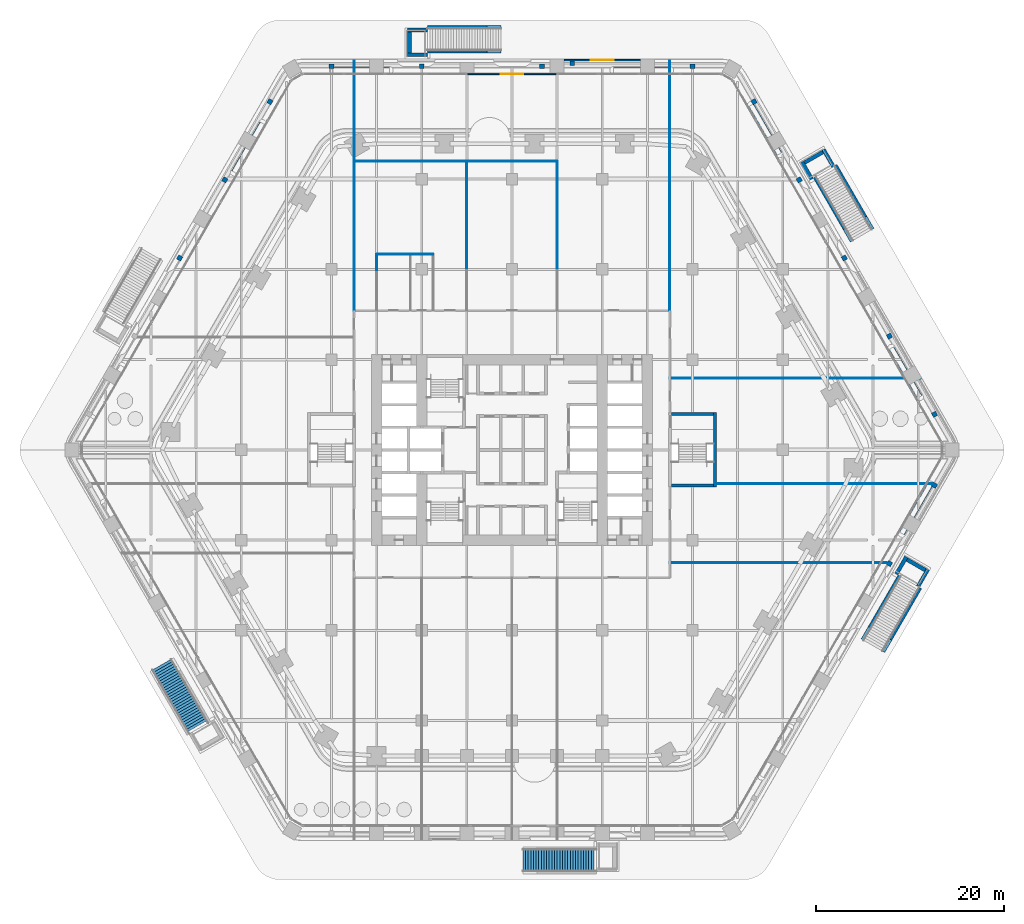
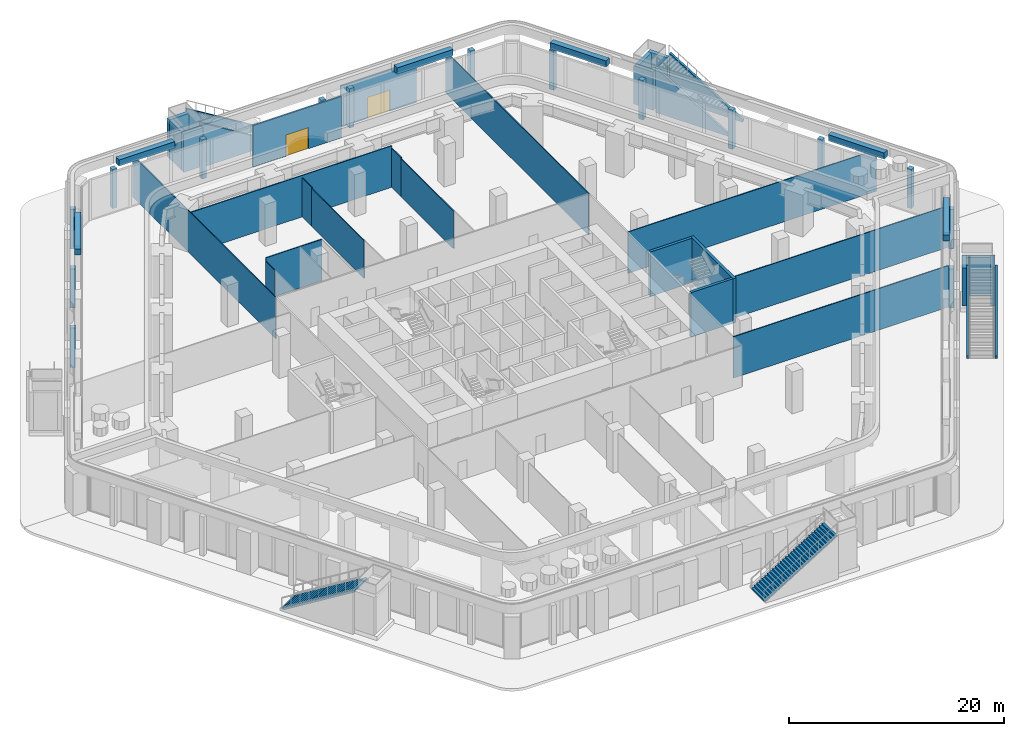
# One storey, part 23 of 34: 53 walls, 2 doors, 2 stair flights, 2 openings, 2 elements without a shape of their own.
"""IFC4 building model written with IfcOpenShell, lengths in metres."""

from ifc_helpers import new_model, si_unit, direction, frame, frame_2d, origin, place, context, subcontext, project, spatial, polyline, rectangle, outline, extrude, material, layer, layer_set, type_object, element, fill, aggregate, save


model = new_model("IFC4")

# Units and contexts
model_context = context("Model", 3, precision=1e-05, world=origin(), true_north=direction((0.0, 1.0)))
body_context = subcontext(model_context, "Body", "Model", "MODEL_VIEW")
ifc_project = project(units=[si_unit("LENGTHUNIT", "METRE"), si_unit("AREAUNIT", "SQUARE_METRE"), si_unit("VOLUMEUNIT", "CUBIC_METRE"), si_unit("PLANEANGLEUNIT", "RADIAN"), si_unit("MASSUNIT", "GRAM", prefix="KILO")], contexts=[model_context])

# Site, building, storey
site_placement = place(None, origin())
site = spatial("IfcSite", under=ifc_project, at=site_placement, CompositionType="ELEMENT")
building_placement = place(site_placement, origin())
building = spatial("IfcBuilding", under=site, at=building_placement, Name="Kolab Exchange Tower", CompositionType="ELEMENT")
storey_placement = place(building_placement, frame((0.0, 0.0, 12.39990234375)))
storey = spatial("IfcBuildingStorey", under=building, at=storey_placement, Name="L02", CompositionType="ELEMENT", Elevation=12.39990234375)

# Wall, opening, door
ifc_material_1 = material(Name="Aluminium EN AW-6063 T6", Category="aluminium")
ifc_layer_1 = layer(ifc_material_1, 0.159912109375)
ifc_layer_set_1 = layer_set([ifc_layer_1], Name="Aluminium EN AW-6063 T6")
wall_type_1 = type_object("IfcWallType", Name="DOOR SURROUND WALL 160 ALUMINIUM FRAMED", PredefinedType="PARTITIONING", material=ifc_layer_set_1)
wall_1_placement = place(storey_placement, frame((-4.77001953125, 39.9892578125, 0.0), z_axis=(0.0, 0.0, 1.0), x_axis=(1.0, 0.0, 0.0)))
wall_1 = element("IfcWall", 1, at=wall_1_placement, inside=storey, type_object=wall_type_1, Name="Door surround wall", PredefinedType="PARTITIONING", context=body_context, shape_type="SweptSolid", body=[
    extrude(rectangle(XDim=9.5400390625, YDim=0.159912109375, at=frame_2d((4.77001953125, 0.0))), origin(), (0.0, 0.0, 1.0), 4.7001953125),
])
opening_1_placement = place(wall_1_placement, frame((3.570068359375, 0.0, 0.0)))
opening_1 = element("IfcOpeningElement", 2, at=opening_1_placement, cuts=wall_1, Name="Opening GD1-005", PredefinedType="OPENING", context=body_context, shape_type="SweptSolid", body=[
    extrude(rectangle(XDim=2.39990234375, YDim=2.39990234375, at=frame_2d((1.199951171875, 1.199951171875))), frame((0.0, 0.08984375, 0.0), z_axis=(0.0, -1.0, 0.0), x_axis=(1.0, 0.0, 0.0)), (0.0, 0.0, 1.0), 0.179931640625),
])
door_type = type_object("IfcDoorType", Name="LOGGIA SLIDING GLASS DOOR 2400 X 2400", OperationType="DOUBLE_DOOR_SINGLE_SWING", PredefinedType="DOOR", material=ifc_material_1)
door_1_placement = place(opening_1_placement, origin())
door_1 = element("IfcDoor", 3, at=door_1_placement, inside=storey, type_object=door_type, Name="Loggia door", OperationType="DOUBLE_DOOR_SLIDING", OverallHeight=2.39990234375, OverallWidth=2.39990234375, PredefinedType="DOOR", context=body_context, shape_type="SweptSolid", body=[
    extrude(rectangle(XDim=2.39990234375, YDim=2.39990234375, at=frame_2d((1.199951171875, 1.199951171875))), frame((0.0, 0.02490234375, 0.0), z_axis=(0.0, -1.0, 0.0), x_axis=(1.0, 0.0, 0.0)), (0.0, 0.0, 1.0), 0.050048828125),
])
fill(opening_1, door_1)

wall_2_placement = place(storey_placement, frame((5.552001953125, 41.46923828125, 0.0), z_axis=(0.0, 0.0, 1.0), x_axis=(1.0, 0.0, 0.0)))
wall_2 = element("IfcWall", 4, at=wall_2_placement, inside=storey, type_object=wall_type_1, Name="Door surround wall", PredefinedType="PARTITIONING", context=body_context, shape_type="SweptSolid", body=[
    extrude(rectangle(XDim=8.095947265625, YDim=0.159912109375, at=frame_2d((4.0478515625, 0.0))), origin(), (0.0, 0.0, 1.0), 4.7001953125),
])
opening_2_placement = place(wall_2_placement, frame((2.847900390625, 0.0, 0.0)))
opening_2 = element("IfcOpeningElement", 5, at=opening_2_placement, cuts=wall_2, Name="Opening GD1-007", PredefinedType="OPENING", context=body_context, shape_type="SweptSolid", body=[
    extrude(rectangle(XDim=2.39990234375, YDim=2.39990234375, at=frame_2d((1.199951171875, 1.199951171875))), frame((0.0, 0.08984375, 0.0), z_axis=(0.0, -1.0, 0.0), x_axis=(1.0, 0.0, 0.0)), (0.0, 0.0, 1.0), 0.179931640625),
])
door_2_placement = place(opening_2_placement, origin())
door_2 = element("IfcDoor", 6, at=door_2_placement, inside=storey, type_object=door_type, Name="Terrace door", OperationType="DOUBLE_DOOR_SLIDING", OverallHeight=2.39990234375, OverallWidth=2.39990234375, PredefinedType="DOOR", context=body_context, shape_type="SweptSolid", body=[
    extrude(rectangle(XDim=2.39990234375, YDim=2.39990234375, at=frame_2d((1.199951171875, 1.199951171875))), frame((0.0, 0.02490234375, 0.0), z_axis=(0.0, -1.0, 0.0), x_axis=(1.0, 0.0, 0.0)), (0.0, 0.0, 1.0), 0.050048828125),
])
fill(opening_2, door_2)

# Walls
ifc_material_2 = material(Name="Gypsum board", Category="gypsum")
ifc_layer_2 = layer(ifc_material_2, 0.10009765625)
ifc_layer_set_2 = layer_set([ifc_layer_2], Name="Gypsum board")
wall_type_2 = type_object("IfcWallType", Name="PARTITION 100", PredefinedType="PARTITIONING", material=ifc_layer_set_2)
wall_3_placement = place(storey_placement, frame((16.800048828125, 14.800048828125, 0.0), z_axis=(0.0, 0.0, 1.0), x_axis=(0.0, 1.0, 0.0)))
element("IfcWall", 7, at=wall_3_placement, inside=storey, type_object=wall_type_2, Name="Partition 000", PredefinedType="PARTITIONING", context=body_context, shape_type="SweptSolid", body=[
    extrude(rectangle(XDim=26.59912109375, YDim=0.10009765625, at=frame_2d((13.299560546875, 0.0))), origin(), (0.0, 0.0, 1.0), 4.7001953125),
])
wall_4_placement = place(storey_placement, frame((4.800048828125, 19.1259765625, 0.0), z_axis=(0.0, 0.0, 1.0), x_axis=(0.0, 1.0, 0.0)))
element("IfcWall", 8, at=wall_4_placement, inside=storey, type_object=wall_type_2, Name="Partition 006", PredefinedType="PARTITIONING", context=body_context, shape_type="SweptSolid", body=[
    extrude(rectangle(XDim=9.748046875, YDim=0.10009765625, at=frame_2d((4.8740234375, 0.0))), origin(), (0.0, 0.0, 1.0), 4.293212890625),
])
wall_5_placement = place(storey_placement, frame((4.800048828125, 28.8740234375, 0.0), z_axis=(0.0, 0.0, 1.0), x_axis=(0.0, 1.0, 0.0)))
element("IfcWall", 9, at=wall_5_placement, inside=storey, type_object=wall_type_2, Name="Partition 006", PredefinedType="PARTITIONING", context=body_context, shape_type="SweptSolid", body=[
    extrude(rectangle(XDim=1.8037109375, YDim=0.10009765625, at=frame_2d((0.90185546875, 0.0))), origin(), (0.0, 0.0, 1.0), 4.440185546875),
])
wall_6_placement = place(storey_placement, frame((-4.800048828125, 19.1259765625, 0.0), z_axis=(0.0, 0.0, 1.0), x_axis=(0.0, 1.0, 0.0)))
element("IfcWall", 10, at=wall_6_placement, inside=storey, type_object=wall_type_2, Name="Partition 008", PredefinedType="PARTITIONING", context=body_context, shape_type="SweptSolid", body=[
    extrude(rectangle(XDim=9.748046875, YDim=0.10009765625, at=frame_2d((4.8740234375, 0.0))), origin(), (0.0, 0.0, 1.0), 4.293212890625),
])
wall_7_placement = place(storey_placement, frame((-4.800048828125, 28.8740234375, 0.0), z_axis=(0.0, 0.0, 1.0), x_axis=(0.0, 1.0, 0.0)))
element("IfcWall", 11, at=wall_7_placement, inside=storey, type_object=wall_type_2, Name="Partition 008", PredefinedType="PARTITIONING", context=body_context, shape_type="SweptSolid", body=[
    extrude(rectangle(XDim=1.8037109375, YDim=0.10009765625, at=frame_2d((0.90185546875, 0.0))), origin(), (0.0, 0.0, 1.0), 4.440185546875),
])
wall_8_placement = place(storey_placement, frame((-14.39990234375, 19.1259765625, 0.0), z_axis=(0.0, 0.0, 1.0), x_axis=(0.0, 1.0, 0.0)))
element("IfcWall", 12, at=wall_8_placement, inside=storey, type_object=wall_type_2, Name="Partition 015", PredefinedType="PARTITIONING", context=body_context, shape_type="SweptSolid", body=[
    extrude(rectangle(XDim=1.674072265625, YDim=0.10009765625, at=frame_2d((0.8369140625, 0.0))), origin(), (0.0, 0.0, 1.0), 4.293212890625),
])
wall_9_placement = place(storey_placement, frame((-16.800048828125, 14.800048828125, 0.0), z_axis=(0.0, 0.0, 1.0), x_axis=(0.0, 1.0, 0.0)))
element("IfcWall", 13, at=wall_9_placement, inside=storey, type_object=wall_type_2, Name="Partition 017", PredefinedType="PARTITIONING", context=body_context, shape_type="SweptSolid", body=[
    extrude(rectangle(XDim=26.59912109375, YDim=0.10009765625, at=frame_2d((13.299560546875, 0.0))), origin(), (0.0, 0.0, 1.0), 4.7001953125),
])
wall_10_placement = place(storey_placement, frame((16.800048828125, -12.0, 0.0), z_axis=(0.0, 0.0, 1.0), x_axis=(1.0, 0.0, 0.0)))
element("IfcWall", 14, at=wall_10_placement, inside=storey, type_object=wall_type_2, Name="Partition 021", PredefinedType="PARTITIONING", context=body_context, shape_type="SweptSolid", body=[
    extrude(rectangle(XDim=23.088134765625, YDim=0.10009765625, at=frame_2d((11.5439453125, 0.0))), origin(), (0.0, 0.0, 1.0), 4.7001953125),
])
wall_11_placement = place(storey_placement, frame((21.75, -3.60009765625, 0.0), z_axis=(0.0, 0.0, 1.0), x_axis=(1.0, 0.0, 0.0)))
element("IfcWall", 15, at=wall_11_placement, inside=storey, type_object=wall_type_2, Name="Partition 025", PredefinedType="PARTITIONING", context=body_context, shape_type="SweptSolid", body=[
    extrude(rectangle(XDim=22.988037109375, YDim=0.10009765625, at=frame_2d((11.494140625, 0.0))), origin(), (0.0, 0.0, 1.0), 4.7001953125),
])
wall_12_placement = place(storey_placement, frame((16.800048828125, 7.60009765625, 0.0), z_axis=(0.0, 0.0, 1.0), x_axis=(1.0, 0.0, 0.0)))
element("IfcWall", 16, at=wall_12_placement, inside=storey, type_object=wall_type_2, Name="Partition 027", PredefinedType="PARTITIONING", context=body_context, shape_type="SweptSolid", body=[
    extrude(rectangle(XDim=26.673583984375, YDim=0.10009765625, at=frame_2d((13.3369140625, 0.0))), origin(), (0.0, 0.0, 1.0), 4.7001953125),
])
wall_13_placement = place(storey_placement, frame((-14.39990234375, 20.800048828125, 0.0), z_axis=(0.0, 0.0, 1.0), x_axis=(1.0, 0.0, 0.0)))
element("IfcWall", 17, at=wall_13_placement, inside=storey, type_object=wall_type_2, Name="Partition 030", PredefinedType="PARTITIONING", context=body_context, shape_type="SweptSolid", body=[
    extrude(rectangle(XDim=6.0, YDim=0.10009765625, at=frame_2d((3.0, 0.0))), origin(), (0.0, 0.0, 1.0), 4.7001953125),
])
wall_14_placement = place(storey_placement, frame((-16.800048828125, 30.677734375, 0.0), z_axis=(0.0, 0.0, 1.0), x_axis=(1.0, 0.0, 0.0)))
element("IfcWall", 18, at=wall_14_placement, inside=storey, type_object=wall_type_2, Name="Partition 031", PredefinedType="PARTITIONING", context=body_context, shape_type="SweptSolid", body=[
    extrude(rectangle(XDim=21.60009765625, YDim=0.10009765625, at=frame_2d((10.800048828125, 0.0))), origin(), (0.0, 0.0, 1.0), 4.7001953125),
])
ifc_material_3 = material(Name="Granite facing", Category="masonry")
ifc_layer_3 = layer(ifc_material_3, 0.0400390625)
ifc_material_4 = material(Name="Concrete C40/50 precast", Category="concrete")
ifc_layer_4 = layer(ifc_material_4, 0.56005859375)
ifc_layer_set_3 = layer_set([ifc_layer_3, ifc_layer_4], Name="Concrete C40/50 precast")
wall_type_3 = type_object("IfcWallType", Name="PLANTER BOX 600 X 700 SOIL DEPTH 550", PredefinedType="USERDEFINED", material=ifc_layer_set_3)
for number, where, z_axis, x_axis, name in (
    (19, (10.80615234375, 40.369140625, 5.0), (0.0, 0.0, 1.0), (1.0, 0.0, 0.0), "Planter"),
    (20, (-19.032958984375, 40.369140625, 5.0), (0.0, 0.0, 1.0), (1.0, 0.0, 0.0), "Planter"),
    (21, (40.36376953125, 10.826171875, 5.0), (0.0, 0.0, 1.0), (0.500007758305, -0.866020924479, 0.0), "Planter"),
    (22, (25.4443359375, 36.667724609375, 5.0), (0.0, 0.0, 1.0), (0.499990139034, -0.866031096941, 0.0), "Planter"),
):
    element("IfcWall", number, at=place(storey_placement, frame(where, z_axis=z_axis, x_axis=x_axis)), inside=storey, type_object=wall_type_3, Name=name, ObjectType="PLANTER", PredefinedType="USERDEFINED", context=body_context, shape_type="SweptSolid", body=[
        extrude(rectangle(XDim=6.0, YDim=0.60009765625, at=frame_2d((3.0, 0.0))), origin(), (0.0, 0.0, 1.0), 0.7001953125),
    ])
wall_15_placement = place(storey_placement, frame((44.507568359375, -3.649169921875, 5.0), z_axis=(0.0, 0.0, 1.0), x_axis=(-0.500003743768, -0.866023242308, 0.0)))
element("IfcWall", 23, at=wall_15_placement, inside=storey, type_object=wall_type_3, Name="Planter", ObjectType="PLANTER", PredefinedType="USERDEFINED", context=body_context, shape_type="SweptSolid", body=[
    extrude(rectangle(XDim=6.060546875, YDim=0.60009765625, at=frame_2d((3.0302734375, 0.0))), origin(), (0.0, 0.0, 1.0), 0.7001953125),
])
wall_16_placement = place(storey_placement, frame((-29.5576171875, 29.54296875, 5.0), z_axis=(0.0, 0.0, 1.0), x_axis=(0.499990139034, 0.866031096941, 0.0)))
element("IfcWall", 24, at=wall_16_placement, inside=storey, type_object=wall_type_3, Name="Planter", ObjectType="PLANTER", PredefinedType="USERDEFINED", context=body_context, shape_type="SweptSolid", body=[
    extrude(rectangle(XDim=6.0, YDim=0.60009765625, at=frame_2d((3.0, 0.0))), origin(), (0.0, 0.0, 1.0), 0.7001953125),
])
ifc_layer_5 = layer(ifc_material_3, 0.0400390625)
ifc_material_5 = material(Name="Concrete C40/50", Category="concrete")
ifc_layer_6 = layer(ifc_material_5, 0.2099609375)
ifc_layer_set_4 = layer_set([ifc_layer_5, ifc_layer_6], Name="Concrete C40/50")
wall_type_4 = type_object("IfcWallType", Name="STAIR CHEEK WALL 250", PredefinedType="SOLIDWALL", material=ifc_layer_set_4)
for number, where, z_axis, x_axis, name in (
    (25, (-1.159912109375, 42.34423828125, 0.0), (0.0, 0.0, 1.0), (-1.0, 0.0, 0.0), "Stair cheek wall"),
    (26, (-1.159912109375, 44.994140625, 0.0), (0.0, 0.0, 1.0), (-1.0, 0.0, 0.0), "Stair cheek wall"),
):
    element("IfcWall", number, at=place(storey_placement, frame(where, z_axis=z_axis, x_axis=x_axis)), inside=storey, type_object=wall_type_4, Name=name, PredefinedType="SOLIDWALL", context=body_context, shape_type="SweptSolid", body=[
        extrude(outline(polyline([(0.0, 0.0), (7.840087890625, 0.0), (7.840087890625, 5.10009765625), (0.0, 0.2724609375), (0.0, 0.0)])), frame((0.0, 0.125, 0.0), z_axis=(0.0, -1.0, 0.0), x_axis=(1.0, 0.0, 0.0)), (0.0, 0.0, 1.0), 0.25),
    ])
wall_17_placement = place(storey_placement, frame((36.091064453125, 22.1767578125, 0.0), z_axis=(0.0, 0.0, 1.0), x_axis=(-0.499997407846, 0.86602690036, 0.0)))
element("IfcWall", 27, at=wall_17_placement, inside=storey, type_object=wall_type_4, Name="Stair cheek wall", PredefinedType="SOLIDWALL", context=body_context, shape_type="SweptSolid", body=[
    extrude(outline(polyline([(0.0, 0.0), (7.83984375, 0.0), (7.840087890625, 5.10009765625), (0.0, 0.2724609375), (0.0, 0.0)])), frame((0.0, 0.125, 0.0), z_axis=(0.0, -1.0, 0.0), x_axis=(1.0, 0.0, 0.0)), (0.0, 0.0, 1.0), 0.25),
])
wall_18_placement = place(storey_placement, frame((38.38623046875, 23.501708984375, 0.0), z_axis=(0.0, 0.0, 1.0), x_axis=(-0.500020763015, 0.866013415921, 0.0)))
element("IfcWall", 28, at=wall_18_placement, inside=storey, type_object=wall_type_4, Name="Stair cheek wall", PredefinedType="SOLIDWALL", context=body_context, shape_type="SweptSolid", body=[
    extrude(outline(polyline([(0.0, 0.0), (7.840087890625, 0.0), (7.840087890625, 5.10009765625), (0.0, 0.2724609375), (0.0, 0.0)])), frame((0.0, 0.125, 0.0), z_axis=(0.0, -1.0, 0.0), x_axis=(1.0, 0.0, 0.0)), (0.0, 0.0, 1.0), 0.25),
])
for number, where, z_axis, x_axis, name in (
    (29, (37.251220703125, -20.16748046875, 0.0), (0.0, 0.0, 1.0), (0.499997407846, 0.86602690036, 0.0), "Stair cheek wall"),
    (30, (39.546142578125, -21.492431640625, 0.0), (0.0, 0.0, 1.0), (0.499997407846, 0.86602690036, 0.0), "Stair cheek wall"),
):
    element("IfcWall", number, at=place(storey_placement, frame(where, z_axis=z_axis, x_axis=x_axis)), inside=storey, type_object=wall_type_4, Name=name, PredefinedType="SOLIDWALL", context=body_context, shape_type="SweptSolid", body=[
        extrude(outline(polyline([(0.0, 0.0), (7.83984375, 0.0), (7.840087890625, 5.10009765625), (0.0, 0.2724609375), (0.0, 0.0)])), frame((0.0, 0.125, 0.0), z_axis=(0.0, -1.0, 0.0), x_axis=(1.0, 0.0, 0.0)), (0.0, 0.0, 1.0), 0.25),
    ])
ifc_material_6 = material(Name="Concrete C50/60", Category="concrete")
ifc_layer_7 = layer(ifc_material_6, 0.300048828125)
ifc_layer_set_5 = layer_set([ifc_layer_7], Name="Concrete C50/60")
wall_type_5 = type_object("IfcWallType", Name="STAIR ENCLOSURE WALL 300 C50/60", PredefinedType="STANDARD", material=ifc_layer_set_5)
for number, where, z_axis, x_axis, name in (
    (31, (16.949951171875, -3.800048828125, -0.2998046875), (0.0, 0.0, 1.0), (1.0, 0.0, 0.0), "wall/L02/core/013"),
    (32, (16.949951171875, 3.800048828125, -0.2998046875), (0.0, 0.0, 1.0), (1.0, 0.0, 0.0), "wall/L02/core/041"),
):
    element("IfcWall", number, at=place(storey_placement, frame(where, z_axis=z_axis, x_axis=x_axis)), inside=storey, type_object=wall_type_5, Name=name, PredefinedType="STANDARD", context=body_context, shape_type="SweptSolid", body=[
        extrude(rectangle(XDim=4.5, YDim=0.300048828125, at=frame_2d((2.25, 0.0))), origin(), (0.0, 0.0, 1.0), 5.0498046875),
    ])
wall_19_placement = place(storey_placement, frame((21.60009765625, -3.949951171875, -0.2998046875), z_axis=(0.0, 0.0, 1.0), x_axis=(0.0, 1.0, 0.0)))
element("IfcWall", 33, at=wall_19_placement, inside=storey, type_object=wall_type_5, Name="wall/L02/core/083", PredefinedType="STANDARD", context=body_context, shape_type="SweptSolid", body=[
    extrude(rectangle(XDim=7.89990234375, YDim=0.300048828125, at=frame_2d((3.949951171875, 0.0))), origin(), (0.0, 0.0, 1.0), 5.0498046875),
])
ifc_layer_8 = layer(ifc_material_5, 0.39990234375)
ifc_layer_set_6 = layer_set([ifc_layer_8], Name="Concrete C40/50")
wall_type_6 = type_object("IfcWallType", Name="STAIR LANDING SUPPORT PIER 2100 X 400", PredefinedType="SOLIDWALL", material=ifc_layer_set_6)
for number, where, z_axis, x_axis, name in (
    (34, (-11.10009765625, 44.669189453125, 0.4501953125), (0.0, 0.0, 1.0), (1.0, 0.0, 0.0), "Stair landing support pier"),
    (35, (-11.10009765625, 42.019287109375, 0.4501953125), (0.0, 0.0, 1.0), (1.0, 0.0, 0.0), "Stair landing support pier"),
):
    element("IfcWall", number, at=place(storey_placement, frame(where, z_axis=z_axis, x_axis=x_axis)), inside=storey, type_object=wall_type_6, Name=name, PredefinedType="SOLIDWALL", context=body_context, shape_type="SweptSolid", body=[
        extrude(rectangle(XDim=2.10009765625, YDim=0.39990234375, at=frame_2d((1.050048828125, 0.0))), origin(), (0.0, 0.0, 1.0), 4.349853515625),
    ])
wall_20_placement = place(storey_placement, frame((-10.89990234375, 42.21923828125, 0.4501953125), z_axis=(0.0, 0.0, 1.0), x_axis=(0.0, 1.0, 0.0)))
element("IfcWall", 36, at=wall_20_placement, inside=storey, type_object=wall_type_6, Name="Stair landing support pier", PredefinedType="SOLIDWALL", context=body_context, shape_type="SweptSolid", body=[
    extrude(rectangle(XDim=2.25, YDim=0.39990234375, at=frame_2d((1.125, 0.0))), origin(), (0.0, 0.0, 1.0), 4.349853515625),
])
wall_21_placement = place(storey_placement, frame((33.134765625, 31.947509765625, 0.4501953125), z_axis=(0.0, 0.0, 1.0), x_axis=(0.49994051562, -0.866059744384, 0.0)))
element("IfcWall", 37, at=wall_21_placement, inside=storey, type_object=wall_type_6, Name="Stair landing support pier", PredefinedType="SOLIDWALL", context=body_context, shape_type="SweptSolid", body=[
    extrude(rectangle(XDim=2.099853515625, YDim=0.39990234375, at=frame_2d((1.0498046875, 0.0))), origin(), (0.0, 0.0, 1.0), 4.349853515625),
])
wall_22_placement = place(storey_placement, frame((30.839599609375, 30.62255859375, 0.4501953125), z_axis=(0.0, 0.0, 1.0), x_axis=(0.500027713859, -0.866009402589, 0.0)))
element("IfcWall", 38, at=wall_22_placement, inside=storey, type_object=wall_type_6, Name="Stair landing support pier", PredefinedType="SOLIDWALL", context=body_context, shape_type="SweptSolid", body=[
    extrude(rectangle(XDim=2.10009765625, YDim=0.39990234375, at=frame_2d((1.050048828125, 0.0))), origin(), (0.0, 0.0, 1.0), 4.349853515625),
])
wall_23_placement = place(storey_placement, frame((31.113037109375, 30.54931640625, 0.4501953125), z_axis=(0.0, 0.0, 1.0), x_axis=(0.866017533419, 0.500013631625, 0.0)))
element("IfcWall", 39, at=wall_23_placement, inside=storey, type_object=wall_type_6, Name="Stair landing support pier", PredefinedType="SOLIDWALL", context=body_context, shape_type="SweptSolid", body=[
    extrude(rectangle(XDim=2.25, YDim=0.39990234375, at=frame_2d((1.125, 0.0))), origin(), (0.0, 0.0, 1.0), 4.349853515625),
])
for number, where, z_axis, x_axis, name in (
    (40, (44.234619140625, -12.7216796875, 0.4501953125), (0.0, 0.0, 1.0), (-0.500027713859, -0.866009402589, 0.0), "Stair landing support pier"),
    (41, (41.939697265625, -11.396728515625, 0.4501953125), (0.0, 0.0, 1.0), (-0.500027713859, -0.866009402589, 0.0), "Stair landing support pier"),
):
    element("IfcWall", number, at=place(storey_placement, frame(where, z_axis=z_axis, x_axis=x_axis)), inside=storey, type_object=wall_type_6, Name=name, PredefinedType="SOLIDWALL", context=body_context, shape_type="SweptSolid", body=[
        extrude(rectangle(XDim=2.10009765625, YDim=0.39990234375, at=frame_2d((1.050048828125, 0.0))), origin(), (0.0, 0.0, 1.0), 4.349853515625),
    ])
wall_24_placement = place(storey_placement, frame((42.012939453125, -11.669921875, 0.4501953125), z_axis=(0.0, 0.0, 1.0), x_axis=(0.866017533419, -0.500013631625, 0.0)))
element("IfcWall", 42, at=wall_24_placement, inside=storey, type_object=wall_type_6, Name="Stair landing support pier", PredefinedType="SOLIDWALL", context=body_context, shape_type="SweptSolid", body=[
    extrude(rectangle(XDim=2.25, YDim=0.39990234375, at=frame_2d((1.125, 0.0))), origin(), (0.0, 0.0, 1.0), 4.349853515625),
])
ifc_layer_9 = layer(ifc_material_3, 0.5)
ifc_layer_set_7 = layer_set([ifc_layer_9], Name="Granite facing")
wall_type_7 = type_object("IfcWallType", Name="STONE FACADE FIN 500 X 500", PredefinedType="SOLIDWALL", material=ifc_layer_set_7)
for number, where, z_axis, x_axis, name in (
    (43, (-19.449951171875, 40.819091796875, 0.0), (0.0, 0.0, 1.0), (1.0, 0.0, 0.0), "Stone facade fin"),
    (44, (-9.85009765625, 40.819091796875, 0.0), (0.0, 0.0, 1.0), (1.0, 0.0, 0.0), "Stone facade fin"),
    (45, (2.949951171875, 40.819091796875, 0.0), (0.0, 0.0, 1.0), (1.0, 0.0, 0.0), "Stone facade fin"),
    (46, (6.14990234375, 41.13916015625, 0.0), (0.0, 0.0, 1.0), (1.0, 0.0, 0.0), "Stone facade fin"),
    (47, (18.949951171875, 40.819091796875, 0.0), (0.0, 0.0, 1.0), (1.0, 0.0, 0.0), "Stone facade fin"),
):
    element("IfcWall", number, at=place(storey_placement, frame(where, z_axis=z_axis, x_axis=x_axis)), inside=storey, type_object=wall_type_7, Name=name, PredefinedType="SOLIDWALL", context=body_context, shape_type="SweptSolid", body=[
        extrude(rectangle(XDim=0.5, YDim=0.5, at=frame_2d((0.25, 0.0))), origin(), (0.0, 0.0, 1.0), 4.4501953125),
    ])
for number, where, z_axis, x_axis, name in (
    (48, (25.625, 37.25341796875, 0.0), (0.0, 0.0, 1.0), (0.500131122175, -0.865949687125, 0.0), "Stone facade fin"),
    (49, (30.425048828125, 28.939453125, 0.0), (0.0, 0.0, 1.0), (0.500131122175, -0.865949687125, 0.0), "Stone facade fin"),
    (50, (35.22509765625, 20.62646484375, 0.0), (0.0, 0.0, 1.0), (0.500131122175, -0.865949687125, 0.0), "Stone facade fin"),
):
    element("IfcWall", number, at=place(storey_placement, frame(where, z_axis=z_axis, x_axis=x_axis)), inside=storey, type_object=wall_type_7, Name=name, PredefinedType="SOLIDWALL", context=body_context, shape_type="SweptSolid", body=[
        extrude(rectangle(XDim=0.499755859375, YDim=0.5, at=frame_2d((0.25, 0.0))), origin(), (0.0, 0.0, 1.0), 4.4501953125),
    ])
for number, where, z_axis, x_axis, name in (
    (51, (40.02490234375, 12.3125, 0.0), (0.0, 0.0, 1.0), (0.499919672301, -0.866071776036, 0.0), "Stone facade fin"),
    (52, (44.824951171875, 3.99853515625, 0.0), (0.0, 0.0, 1.0), (0.499919672301, -0.866071776036, 0.0), "Stone facade fin"),
    (53, (45.074951171875, -3.5654296875, 0.0), (0.0, 0.0, 1.0), (-0.499919672301, -0.866071776036, 0.0), "Stone facade fin"),
    (54, (40.27490234375, -11.87939453125, 0.0), (0.0, 0.0, 1.0), (-0.499919672301, -0.866071776036, 0.0), "Stone facade fin"),
):
    element("IfcWall", number, at=place(storey_placement, frame(where, z_axis=z_axis, x_axis=x_axis)), inside=storey, type_object=wall_type_7, Name=name, PredefinedType="SOLIDWALL", context=body_context, shape_type="SweptSolid", body=[
        extrude(rectangle(XDim=0.5, YDim=0.5, at=frame_2d((0.25, 0.0))), origin(), (0.0, 0.0, 1.0), 4.4501953125),
    ])
for number, where, z_axis, x_axis, name in (
    (55, (-35.47509765625, 20.193603515625, 0.0), (0.0, 0.0, 1.0), (0.500131122175, 0.865949687125, 0.0), "Stone facade fin"),
    (56, (-30.675048828125, 28.506591796875, 0.0), (0.0, 0.0, 1.0), (0.500131122175, 0.865949687125, 0.0), "Stone facade fin"),
    (57, (-25.875, 36.820556640625, 0.0), (0.0, 0.0, 1.0), (0.500131122175, 0.865949687125, 0.0), "Stone facade fin"),
):
    element("IfcWall", number, at=place(storey_placement, frame(where, z_axis=z_axis, x_axis=x_axis)), inside=storey, type_object=wall_type_7, Name=name, PredefinedType="SOLIDWALL", context=body_context, shape_type="SweptSolid", body=[
        extrude(rectangle(XDim=0.499755859375, YDim=0.5, at=frame_2d((0.25, 0.0))), origin(), (0.0, 0.0, 1.0), 4.4501953125),
    ])

# Stair, stair flight
stair_type = type_object("IfcStairType", Name="GARDEN STAIR RUN A", PredefinedType="STRAIGHT_RUN_STAIR", material=ifc_material_5)
stair_1_placement = place(storey_placement, origin())
stair_1 = element("IfcStair", 58, at=stair_1_placement, inside=storey, type_object=stair_type, Name="Garden stair GS4 run A", PredefinedType="STRAIGHT_RUN_STAIR")
stair_flight_type = type_object("IfcStairFlightType", Name="GARDEN STAIR FLIGHT A", PredefinedType="STRAIGHT", material=ifc_material_5)
stair_flight_1_placement = place(storey_placement, frame((1.159912109375, -43.669189453125, 0.0), z_axis=(0.0, 0.0, 1.0), x_axis=(1.0, 0.0, 0.0)))
stair_flight_1 = element("IfcStairFlight", 59, at=stair_flight_1_placement, type_object=stair_flight_type, Name="GS4 flight 1", NumberOfRisers=29, NumberOfTreads=28, PredefinedType="STRAIGHT", RiserHeight=0.172414, TreadLength=0.28, context=body_context, shape_type="SweptSolid", body=[
    extrude(outline(polyline([(0.0, 0.0), (0.0, 0.17236328125), (0.280029296875, 0.17236328125), (0.280029296875, 0.3447265625), (0.56005859375, 0.3447265625), (0.56005859375, 0.517333984375), (0.840087890625, 0.517333984375), (0.840087890625, 0.689697265625), (1.1201171875, 0.689697265625), (1.1201171875, 0.862060546875), (1.39990234375, 0.862060546875), (1.39990234375, 1.034423828125), (1.679931640625, 1.034423828125), (1.679931640625, 1.206787109375), (1.9599609375, 1.206787109375), (1.9599609375, 1.37939453125), (2.239990234375, 1.37939453125), (2.239990234375, 1.5517578125), (2.52001953125, 1.5517578125), (2.52001953125, 1.72412109375), (2.800048828125, 1.72412109375), (2.800048828125, 1.896484375), (3.080078125, 1.896484375), (3.080078125, 2.06884765625), (3.360107421875, 2.06884765625), (3.360107421875, 2.241455078125), (3.639892578125, 2.241455078125), (3.639892578125, 2.413818359375), (3.919921875, 2.413818359375), (3.919921875, 2.586181640625), (4.199951171875, 2.586181640625), (4.199951171875, 2.758544921875), (4.47998046875, 2.758544921875), (4.47998046875, 2.93115234375), (4.760009765625, 2.93115234375), (4.760009765625, 3.103515625), (5.0400390625, 3.103515625), (5.0400390625, 3.27587890625), (5.320068359375, 3.27587890625), (5.320068359375, 3.4482421875), (5.60009765625, 3.4482421875), (5.60009765625, 3.62060546875), (5.8798828125, 3.62060546875), (5.8798828125, 3.793212890625), (6.159912109375, 3.793212890625), (6.159912109375, 3.965576171875), (6.43994140625, 3.965576171875), (6.43994140625, 4.137939453125), (6.719970703125, 4.137939453125), (6.719970703125, 4.310302734375), (7.0, 4.310302734375), (7.0, 4.482666015625), (7.280029296875, 4.482666015625), (7.280029296875, 4.6552734375), (7.56005859375, 4.6552734375), (7.56005859375, 4.82763671875), (7.840087890625, 4.82763671875), (7.840087890625, 5.0), (7.840087890625, 4.651611328125), (0.285888671875, 0.0), (0.0, 0.0)])), frame((0.0, 1.199951171875, 0.0), z_axis=(0.0, -1.0, 0.0), x_axis=(1.0, 0.0, 0.0)), (0.0, 0.0, 1.0), 2.39990234375),
])
aggregate(stair_1, [stair_flight_1])

stair_2_placement = place(storey_placement, origin())
stair_2 = element("IfcStair", 60, at=stair_2_placement, inside=storey, type_object=stair_type, Name="Garden stair GS5 run A", PredefinedType="STRAIGHT_RUN_STAIR")
stair_flight_2_placement = place(storey_placement, frame((-37.23876953125, -22.839111328125, 0.0), z_axis=(0.0, 0.0, 1.0), x_axis=(0.5, -0.866025403784, 0.0)))
stair_flight_2 = element("IfcStairFlight", 61, at=stair_flight_2_placement, type_object=stair_flight_type, Name="GS5 flight 1", NumberOfRisers=29, NumberOfTreads=28, PredefinedType="STRAIGHT", RiserHeight=0.172414, TreadLength=0.28, context=body_context, shape_type="SweptSolid", body=[
    extrude(outline(polyline([(0.0, 0.0), (0.0, 0.17236328125), (0.280029296875, 0.17236328125), (0.280029296875, 0.3447265625), (0.56005859375, 0.3447265625), (0.56005859375, 0.517333984375), (0.840087890625, 0.517333984375), (0.840087890625, 0.689697265625), (1.1201171875, 0.689697265625), (1.1201171875, 0.862060546875), (1.39990234375, 0.862060546875), (1.39990234375, 1.034423828125), (1.679931640625, 1.034423828125), (1.679931640625, 1.206787109375), (1.9599609375, 1.206787109375), (1.9599609375, 1.37939453125), (2.239990234375, 1.37939453125), (2.239990234375, 1.5517578125), (2.52001953125, 1.5517578125), (2.52001953125, 1.72412109375), (2.800048828125, 1.72412109375), (2.800048828125, 1.896484375), (3.080078125, 1.896484375), (3.080078125, 2.06884765625), (3.360107421875, 2.06884765625), (3.360107421875, 2.241455078125), (3.639892578125, 2.241455078125), (3.639892578125, 2.413818359375), (3.919921875, 2.413818359375), (3.919921875, 2.586181640625), (4.199951171875, 2.586181640625), (4.199951171875, 2.758544921875), (4.47998046875, 2.758544921875), (4.47998046875, 2.93115234375), (4.760009765625, 2.93115234375), (4.760009765625, 3.103515625), (5.0400390625, 3.103515625), (5.0400390625, 3.27587890625), (5.320068359375, 3.27587890625), (5.320068359375, 3.4482421875), (5.60009765625, 3.4482421875), (5.60009765625, 3.62060546875), (5.8798828125, 3.62060546875), (5.8798828125, 3.793212890625), (6.159912109375, 3.793212890625), (6.159912109375, 3.965576171875), (6.43994140625, 3.965576171875), (6.43994140625, 4.137939453125), (6.719970703125, 4.137939453125), (6.719970703125, 4.310302734375), (7.0, 4.310302734375), (7.0, 4.482666015625), (7.280029296875, 4.482666015625), (7.280029296875, 4.6552734375), (7.56005859375, 4.6552734375), (7.56005859375, 4.82763671875), (7.840087890625, 4.82763671875), (7.840087890625, 5.0), (7.840087890625, 4.651611328125), (0.285888671875, 0.0), (0.0, 0.0)])), frame((0.0, 1.199951171875, 0.0), z_axis=(0.0, -1.0, 0.0), x_axis=(1.0, 0.0, 0.0)), (0.0, 0.0, 1.0), 2.39990234375),
])
aggregate(stair_2, [stair_flight_2])

save(model, "model.ifc")
